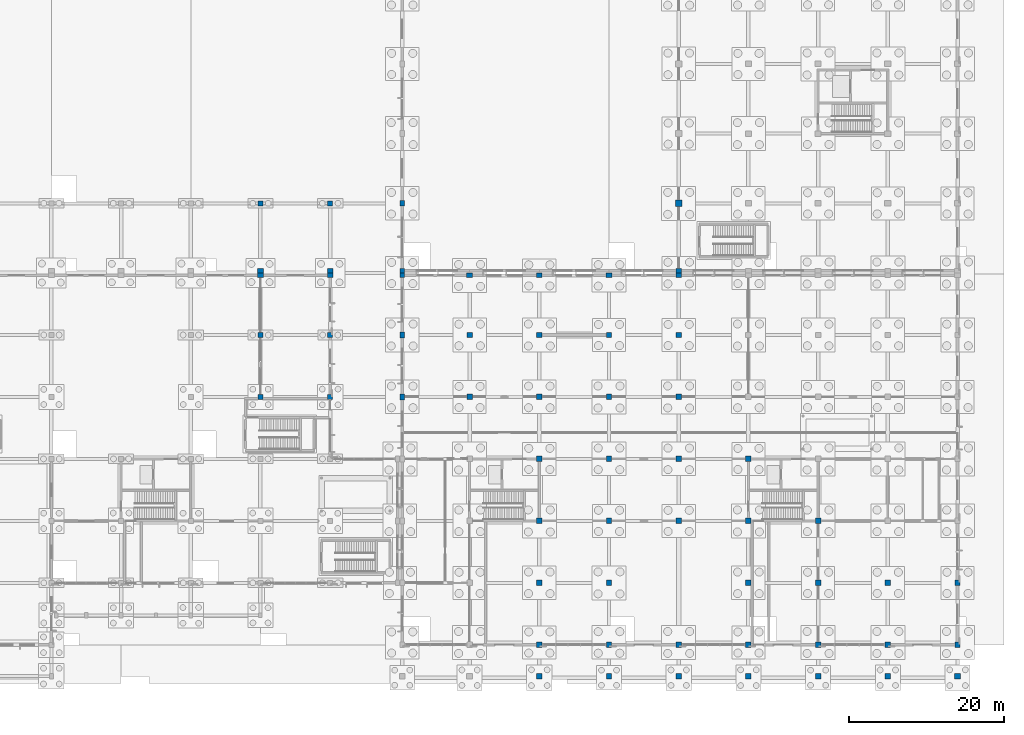
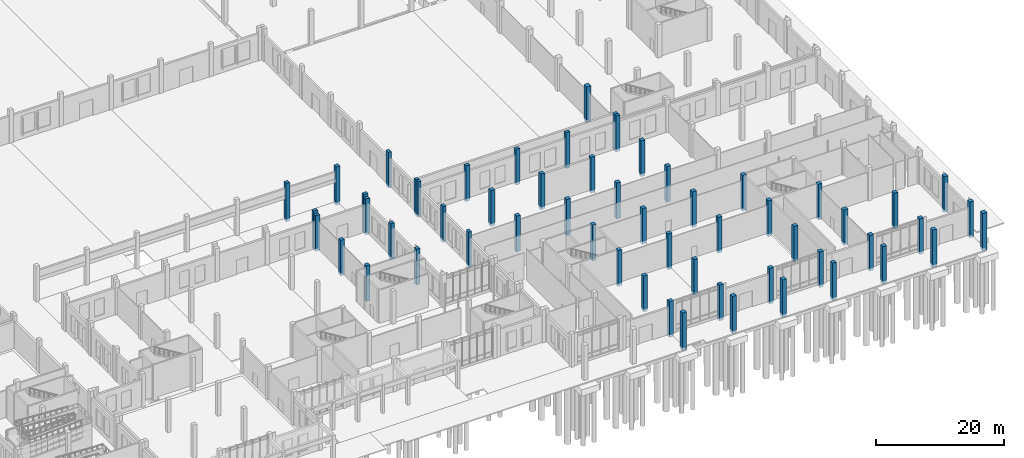
# One storey, part 32 of 99: 58 columns.
"""IFC4 building model written with IfcOpenShell, lengths in metres."""

from ifc_helpers import new_model, si_unit, direction, frame, origin, origin_2d, place, context, subcontext, project, spatial, rectangle, extrude, material, material_profile, profile_set, type_object, element, save


model = new_model("IFC4")

# Units and contexts
model_context = context("Model", 3, precision=1e-05, world=origin(), true_north=direction((0.0, 1.0)))
body_context = subcontext(model_context, "Body", "Model", "MODEL_VIEW")
ifc_project = project(units=[si_unit("LENGTHUNIT", "METRE"), si_unit("AREAUNIT", "SQUARE_METRE"), si_unit("VOLUMEUNIT", "CUBIC_METRE"), si_unit("PLANEANGLEUNIT", "RADIAN"), si_unit("MASSUNIT", "GRAM", prefix="KILO")], contexts=[model_context])

# Site, building, storey
site_placement = place(None, origin())
site = spatial("IfcSite", under=ifc_project, at=site_placement, CompositionType="ELEMENT")
building_placement = place(site_placement, origin())
building = spatial("IfcBuilding", under=site, at=building_placement, Name="Zacnel Wholesale Market", CompositionType="ELEMENT")
storey_placement = place(building_placement, origin())
storey = spatial("IfcBuildingStorey", under=building, at=storey_placement, Name="L01", CompositionType="ELEMENT", Elevation=0.0)

# Columns
ifc_material_1 = material(Name="Precast concrete C45/55", Category="concrete")
ifc_material_profile_1 = material_profile(ifc_material_1, rectangle(XDim=0.550048828125, YDim=0.75, at=origin_2d()), Name="PC 550x750")
ifc_profile_set_1 = profile_set([ifc_material_profile_1], Name="Precast concrete C45/55")
column_type_1 = type_object("IfcColumnType", Name="COL-MJ550X750", PredefinedType="COLUMN", material=ifc_profile_set_1)
for number, where, z_axis, x_axis, name in (
    (1, (144.300048828125, 32.0, -0.5), (0.0, 0.0, 1.0), (1.0, 0.0, 0.0), "Precast column L01-0240"),
    (2, (144.300048828125, 40.0, -0.5), (0.0, 0.0, 1.0), (1.0, 0.0, 0.0), "Precast column L01-0241"),
    (3, (144.300048828125, 57.0, -0.5), (0.0, 0.0, 1.0), (1.0, 0.0, 0.0), "Precast column L01-0244"),
):
    element("IfcColumn", number, at=place(storey_placement, frame(where, z_axis=z_axis, x_axis=x_axis)), inside=storey, type_object=column_type_1, Name=name, PredefinedType="COLUMN", context=body_context, shape_type="SweptSolid", body=[
        extrude(rectangle(XDim=0.550048828125, YDim=0.75, at=origin_2d()), origin(), (0.0, 0.0, 1.0), 6.800048828125),
    ])
ifc_material_2 = material(Name="Precast concrete C45/55", Category="concrete")
ifc_material_profile_2 = material_profile(ifc_material_2, rectangle(XDim=0.75, YDim=0.550048828125, at=origin_2d()), Name="PC 750x550")
ifc_profile_set_2 = profile_set([ifc_material_profile_2], Name="Precast concrete C45/55")
column_type_2 = type_object("IfcColumnType", Name="COL-MJ750X550", PredefinedType="COLUMN", material=ifc_profile_set_2)
column_1_placement = place(storey_placement, frame((126.0, 47.699951171875, -0.5), z_axis=(0.0, 0.0, 1.0), x_axis=(1.0, 0.0, 0.0)))
element("IfcColumn", 4, at=column_1_placement, inside=storey, type_object=column_type_2, Name="Precast column L01-0213", PredefinedType="COLUMN", context=body_context, shape_type="SweptSolid", body=[
    extrude(rectangle(XDim=0.75, YDim=0.550048828125, at=origin_2d()), origin(), (0.0, 0.0, 1.0), 6.800048828125),
])
column_2_placement = place(storey_placement, frame((126.0, 48.300048828125, -0.5), z_axis=(0.0, 0.0, 1.0), x_axis=(1.0, 0.0, 0.0)))
element("IfcColumn", 5, at=column_2_placement, inside=storey, type_object=column_type_2, Name="Precast column L01-0214", PredefinedType="COLUMN", context=body_context, shape_type="SweptSolid", body=[
    extrude(rectangle(XDim=0.75, YDim=0.550048828125, at=origin_2d()), origin(), (0.0, 0.0, 1.0), 7.300048828125),
])
column_3_placement = place(storey_placement, frame((135.0, 47.699951171875, -0.5), z_axis=(0.0, 0.0, 1.0), x_axis=(1.0, 0.0, 0.0)))
element("IfcColumn", 6, at=column_3_placement, inside=storey, type_object=column_type_2, Name="Precast column L01-0224", PredefinedType="COLUMN", context=body_context, shape_type="SweptSolid", body=[
    extrude(rectangle(XDim=0.75, YDim=0.550048828125, at=origin_2d()), origin(), (0.0, 0.0, 1.0), 6.800048828125),
])
column_4_placement = place(storey_placement, frame((135.0, 48.300048828125, -0.5), z_axis=(0.0, 0.0, 1.0), x_axis=(1.0, 0.0, 0.0)))
element("IfcColumn", 7, at=column_4_placement, inside=storey, type_object=column_type_2, Name="Precast column L01-0225", PredefinedType="COLUMN", context=body_context, shape_type="SweptSolid", body=[
    extrude(rectangle(XDim=0.75, YDim=0.550048828125, at=origin_2d()), origin(), (0.0, 0.0, 1.0), 7.300048828125),
])
for number, where, z_axis, x_axis, name in (
    (8, (153.0, 47.699951171875, -0.5), (0.0, 0.0, 1.0), (1.0, 0.0, 0.0), "Precast column L01-0258"),
    (9, (162.0, 47.699951171875, -0.5), (0.0, 0.0, 1.0), (1.0, 0.0, 0.0), "Precast column L01-0268"),
    (10, (171.0, 47.699951171875, -0.5), (0.0, 0.0, 1.0), (1.0, 0.0, 0.0), "Precast column L01-0278"),
    (11, (180.0, 47.699951171875, -0.5), (0.0, 0.0, 1.0), (1.0, 0.0, 0.0), "Precast column L01-0287"),
    (12, (180.0, 48.300048828125, -0.5), (0.0, 0.0, 1.0), (1.0, 0.0, 0.0), "Precast column L01-0288"),
):
    element("IfcColumn", number, at=place(storey_placement, frame(where, z_axis=z_axis, x_axis=x_axis)), inside=storey, type_object=column_type_2, Name=name, PredefinedType="COLUMN", context=body_context, shape_type="SweptSolid", body=[
        extrude(rectangle(XDim=0.75, YDim=0.550048828125, at=origin_2d()), origin(), (0.0, 0.0, 1.0), 6.800048828125),
    ])
ifc_material_3 = material(Name="Precast concrete C45/55", Category="concrete")
ifc_material_profile_3 = material_profile(ifc_material_3, rectangle(XDim=0.550048828125, YDim=0.550048828125, at=origin_2d()), Name="PC 550x550")
ifc_profile_set_3 = profile_set([ifc_material_profile_3], Name="Precast concrete C45/55")
column_type_3 = type_object("IfcColumnType", Name="COL-PC550", PredefinedType="COLUMN", material=ifc_profile_set_3)
for number, where, z_axis, x_axis, name in (
    (13, (144.300048828125, 47.699951171875, -0.5), (0.0, 0.0, 1.0), (1.0, 0.0, 0.0), "Precast column L01-0242"),
    (14, (144.300048828125, 48.300048828125, -0.5), (0.0, 0.0, 1.0), (1.0, 0.0, 0.0), "Precast column L01-0243"),
):
    element("IfcColumn", number, at=place(storey_placement, frame(where, z_axis=z_axis, x_axis=x_axis)), inside=storey, type_object=column_type_3, Name=name, PredefinedType="COLUMN", context=body_context, shape_type="SweptSolid", body=[
        extrude(rectangle(XDim=0.550048828125, YDim=0.550048828125, at=origin_2d()), origin(), (0.0, 0.0, 1.0), 6.800048828125),
    ])
ifc_material_4 = material(Name="Precast concrete C45/55", Category="concrete")
ifc_material_profile_4 = material_profile(ifc_material_4, rectangle(XDim=0.64990234375, YDim=0.64990234375, at=origin_2d()), Name="PC 650x650")
ifc_profile_set_4 = profile_set([ifc_material_profile_4], Name="Precast concrete C45/55")
column_type_4 = type_object("IfcColumnType", Name="COL-PC650", PredefinedType="COLUMN", material=ifc_profile_set_4)
for number, where, z_axis, x_axis, name in (
    (15, (126.0, 32.0, -0.5), (0.0, 0.0, 1.0), (1.0, 0.0, 0.0), "Precast column L01-0211"),
    (16, (126.0, 40.0, -0.5), (0.0, 0.0, 1.0), (1.0, 0.0, 0.0), "Precast column L01-0212"),
):
    element("IfcColumn", number, at=place(storey_placement, frame(where, z_axis=z_axis, x_axis=x_axis)), inside=storey, type_object=column_type_4, Name=name, PredefinedType="COLUMN", context=body_context, shape_type="SweptSolid", body=[
        extrude(rectangle(XDim=0.64990234375, YDim=0.64990234375, at=origin_2d()), origin(), (0.0, 0.0, 1.0), 6.800048828125),
    ])
column_5_placement = place(storey_placement, frame((126.0, 57.0, -0.5), z_axis=(0.0, 0.0, 1.0), x_axis=(1.0, 0.0, 0.0)))
element("IfcColumn", 17, at=column_5_placement, inside=storey, type_object=column_type_4, Name="Precast column L01-0215", PredefinedType="COLUMN", context=body_context, shape_type="SweptSolid", body=[
    extrude(rectangle(XDim=0.64990234375, YDim=0.64990234375, at=origin_2d()), origin(), (0.0, 0.0, 1.0), 7.300048828125),
])
for number, where, z_axis, x_axis, name in (
    (18, (135.0, 32.0, -0.5), (0.0, 0.0, 1.0), (1.0, 0.0, 0.0), "Precast column L01-0222"),
    (19, (135.0, 40.0, -0.5), (0.0, 0.0, 1.0), (1.0, 0.0, 0.0), "Precast column L01-0223"),
):
    element("IfcColumn", number, at=place(storey_placement, frame(where, z_axis=z_axis, x_axis=x_axis)), inside=storey, type_object=column_type_4, Name=name, PredefinedType="COLUMN", context=body_context, shape_type="SweptSolid", body=[
        extrude(rectangle(XDim=0.64990234375, YDim=0.64990234375, at=origin_2d()), origin(), (0.0, 0.0, 1.0), 6.800048828125),
    ])
column_6_placement = place(storey_placement, frame((135.0, 57.0, -0.5), z_axis=(0.0, 0.0, 1.0), x_axis=(1.0, 0.0, 0.0)))
element("IfcColumn", 20, at=column_6_placement, inside=storey, type_object=column_type_4, Name="Precast column L01-0226", PredefinedType="COLUMN", context=body_context, shape_type="SweptSolid", body=[
    extrude(rectangle(XDim=0.64990234375, YDim=0.64990234375, at=origin_2d()), origin(), (0.0, 0.0, 1.0), 7.300048828125),
])
ifc_material_5 = material(Name="Precast concrete C45/55", Category="concrete")
ifc_material_profile_5 = material_profile(ifc_material_5, rectangle(XDim=0.699951171875, YDim=0.699951171875, at=origin_2d()), Name="PC 700x700")
ifc_profile_set_5 = profile_set([ifc_material_profile_5], Name="Precast concrete C45/55")
column_type_5 = type_object("IfcColumnType", Name="COL-PC700", PredefinedType="COLUMN", material=ifc_profile_set_5)
for number, where, z_axis, x_axis, name in (
    (21, (153.0, 32.0, -0.5), (0.0, 0.0, 1.0), (1.0, 0.0, 0.0), "Precast column L01-0256"),
    (22, (153.0, 40.0, -0.5), (0.0, 0.0, 1.0), (1.0, 0.0, 0.0), "Precast column L01-0257"),
    (23, (162.0, 0.0, -0.5), (0.0, 0.0, 1.0), (1.0, 0.0, 0.0), "Precast column L01-0262"),
    (24, (162.0, 8.0, -0.5), (0.0, 0.0, 1.0), (1.0, 0.0, 0.0), "Precast column L01-0263"),
    (25, (162.0, 16.0, -0.5), (0.0, 0.0, 1.0), (1.0, 0.0, 0.0), "Precast column L01-0264"),
    (26, (162.0, 24.0, -0.5), (0.0, 0.0, 1.0), (1.0, 0.0, 0.0), "Precast column L01-0265"),
    (27, (162.0, 32.0, -0.5), (0.0, 0.0, 1.0), (1.0, 0.0, 0.0), "Precast column L01-0266"),
    (28, (162.0, 40.0, -0.5), (0.0, 0.0, 1.0), (1.0, 0.0, 0.0), "Precast column L01-0267"),
    (29, (171.0, 0.0, -0.5), (0.0, 0.0, 1.0), (1.0, 0.0, 0.0), "Precast column L01-0272"),
    (30, (171.0, 8.0, -0.5), (0.0, 0.0, 1.0), (1.0, 0.0, 0.0), "Precast column L01-0273"),
    (31, (171.0, 16.0, -0.5), (0.0, 0.0, 1.0), (1.0, 0.0, 0.0), "Precast column L01-0274"),
    (32, (171.0, 24.0, -0.5), (0.0, 0.0, 1.0), (1.0, 0.0, 0.0), "Precast column L01-0275"),
    (33, (171.0, 32.0, -0.5), (0.0, 0.0, 1.0), (1.0, 0.0, 0.0), "Precast column L01-0276"),
    (34, (171.0, 40.0, -0.5), (0.0, 0.0, 1.0), (1.0, 0.0, 0.0), "Precast column L01-0277"),
    (35, (180.0, 0.0, -0.5), (0.0, 0.0, 1.0), (1.0, 0.0, 0.0), "Precast column L01-0282"),
    (36, (180.0, 16.0, -0.5), (0.0, 0.0, 1.0), (1.0, 0.0, 0.0), "Precast column L01-0283"),
    (37, (180.0, 24.0, -0.5), (0.0, 0.0, 1.0), (1.0, 0.0, 0.0), "Precast column L01-0284"),
    (38, (180.0, 32.0, -0.5), (0.0, 0.0, 1.0), (1.0, 0.0, 0.0), "Precast column L01-0285"),
    (39, (180.0, 40.0, -0.5), (0.0, 0.0, 1.0), (1.0, 0.0, 0.0), "Precast column L01-0286"),
    (40, (189.0, 0.0, -0.5), (0.0, 0.0, 1.0), (1.0, 0.0, 0.0), "Precast column L01-0297"),
    (41, (189.0, 8.0, -0.5), (0.0, 0.0, 1.0), (1.0, 0.0, 0.0), "Precast column L01-0298"),
    (42, (189.0, 16.0, -0.5), (0.0, 0.0, 1.0), (1.0, 0.0, 0.0), "Precast column L01-0299"),
    (43, (189.0, 24.0, -0.5), (0.0, 0.0, 1.0), (1.0, 0.0, 0.0), "Precast column L01-0300"),
    (44, (198.0, 0.0, -0.5), (0.0, 0.0, 1.0), (1.0, 0.0, 0.0), "Precast column L01-0313"),
    (45, (198.0, 8.0, -0.5), (0.0, 0.0, 1.0), (1.0, 0.0, 0.0), "Precast column L01-0314"),
    (46, (198.0, 16.0, -0.5), (0.0, 0.0, 1.0), (1.0, 0.0, 0.0), "Precast column L01-0315"),
    (47, (207.0, 0.0, -0.5), (0.0, 0.0, 1.0), (1.0, 0.0, 0.0), "Precast column L01-0326"),
    (48, (207.0, 8.0, -0.5), (0.0, 0.0, 1.0), (1.0, 0.0, 0.0), "Precast column L01-0327"),
    (49, (216.0, 0.0, -0.5), (0.0, 0.0, 1.0), (1.0, 0.0, 0.0), "Precast column L01-0339"),
    (50, (216.0, 8.0, -0.5), (0.0, 0.0, 1.0), (1.0, 0.0, 0.0), "Precast column L01-0340"),
):
    element("IfcColumn", number, at=place(storey_placement, frame(where, z_axis=z_axis, x_axis=x_axis)), inside=storey, type_object=column_type_5, Name=name, PredefinedType="COLUMN", context=body_context, shape_type="SweptSolid", body=[
        extrude(rectangle(XDim=0.699951171875, YDim=0.699951171875, at=origin_2d()), origin(), (0.0, 0.0, 1.0), 6.800048828125),
    ])
for number, where, z_axis, x_axis, name in (
    (51, (162.0, -4.050048828125, -0.5), (0.0, 0.0, 1.0), (1.0, 0.0, 0.0), "Boulevard colonnade precast pier 02"),
    (52, (171.0, -4.050048828125, -0.5), (0.0, 0.0, 1.0), (1.0, 0.0, 0.0), "Boulevard colonnade precast pier 03"),
    (53, (189.0, -4.050048828125, -0.5), (0.0, 0.0, 1.0), (1.0, 0.0, 0.0), "Boulevard colonnade precast pier 05"),
    (54, (198.0, -4.050048828125, -0.5), (0.0, 0.0, 1.0), (1.0, 0.0, 0.0), "Boulevard colonnade precast pier 06"),
):
    element("IfcColumn", number, at=place(storey_placement, frame(where, z_axis=z_axis, x_axis=x_axis)), inside=storey, type_object=column_type_5, Name=name, PredefinedType="COLUMN", context=body_context, shape_type="SweptSolid", body=[
        extrude(rectangle(XDim=0.699951171875, YDim=0.699951171875, at=origin_2d()), origin(), (0.0, 0.0, 1.0), 7.1201171875),
    ])
ifc_material_6 = material(Name="Precast concrete C45/55", Category="concrete")
ifc_material_profile_6 = material_profile(ifc_material_6, rectangle(XDim=0.75, YDim=0.75, at=origin_2d()), Name="PC 750x750")
ifc_profile_set_6 = profile_set([ifc_material_profile_6], Name="Precast concrete C45/55")
column_type_6 = type_object("IfcColumnType", Name="COL-PC750", PredefinedType="COLUMN", material=ifc_profile_set_6)
for number, where, z_axis, x_axis, name in (
    (55, (180.0, -4.050048828125, -0.5), (0.0, 0.0, 1.0), (1.0, 0.0, 0.0), "Boulevard colonnade precast pier 04"),
    (56, (207.0, -4.050048828125, -0.5), (0.0, 0.0, 1.0), (1.0, 0.0, 0.0), "Boulevard colonnade precast pier 07"),
    (57, (216.0, -4.050048828125, -0.5), (0.0, 0.0, 1.0), (1.0, 0.0, 0.0), "Boulevard colonnade corner pylon pier 02"),
):
    element("IfcColumn", number, at=place(storey_placement, frame(where, z_axis=z_axis, x_axis=x_axis)), inside=storey, type_object=column_type_6, Name=name, PredefinedType="COLUMN", context=body_context, shape_type="SweptSolid", body=[
        extrude(rectangle(XDim=0.75, YDim=0.75, at=origin_2d()), origin(), (0.0, 0.0, 1.0), 7.1201171875),
    ])
ifc_material_7 = material(Name="Precast concrete C45/55", Category="concrete")
ifc_material_profile_7 = material_profile(ifc_material_7, rectangle(XDim=0.800048828125, YDim=0.800048828125, at=origin_2d()), Name="PC 800x800")
ifc_profile_set_7 = profile_set([ifc_material_profile_7], Name="Precast concrete C45/55")
column_type_7 = type_object("IfcColumnType", Name="COL-PC800", PredefinedType="COLUMN", material=ifc_profile_set_7)
column_7_placement = place(storey_placement, frame((180.0, 57.0, -0.5), z_axis=(0.0, 0.0, 1.0), x_axis=(1.0, 0.0, 0.0)))
element("IfcColumn", 58, at=column_7_placement, inside=storey, type_object=column_type_7, Name="Precast column L01-0289", PredefinedType="COLUMN", context=body_context, shape_type="SweptSolid", body=[
    extrude(rectangle(XDim=0.800048828125, YDim=0.800048828125, at=origin_2d()), origin(), (0.0, 0.0, 1.0), 6.800048828125),
])

save(model, "model.ifc")
